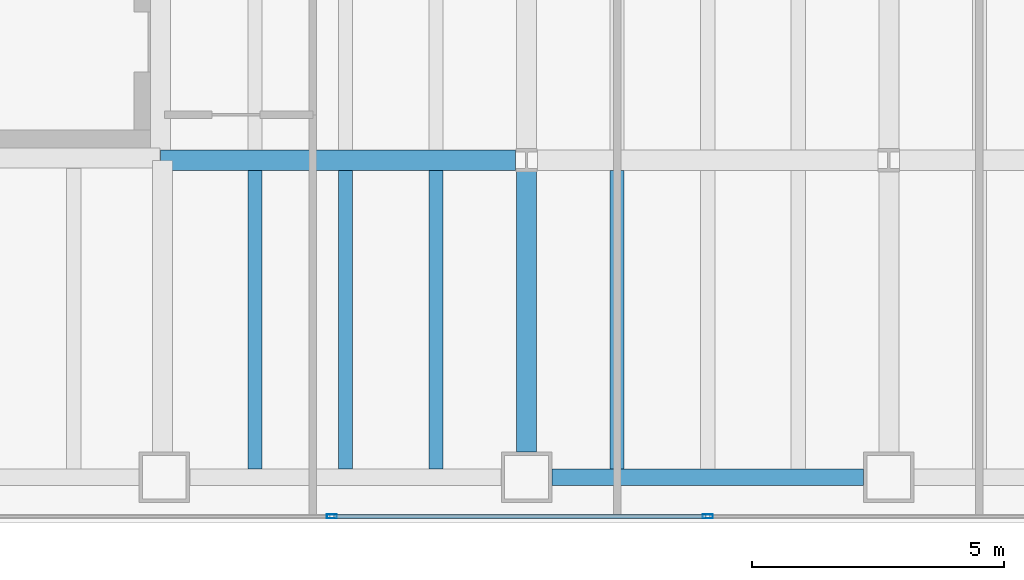
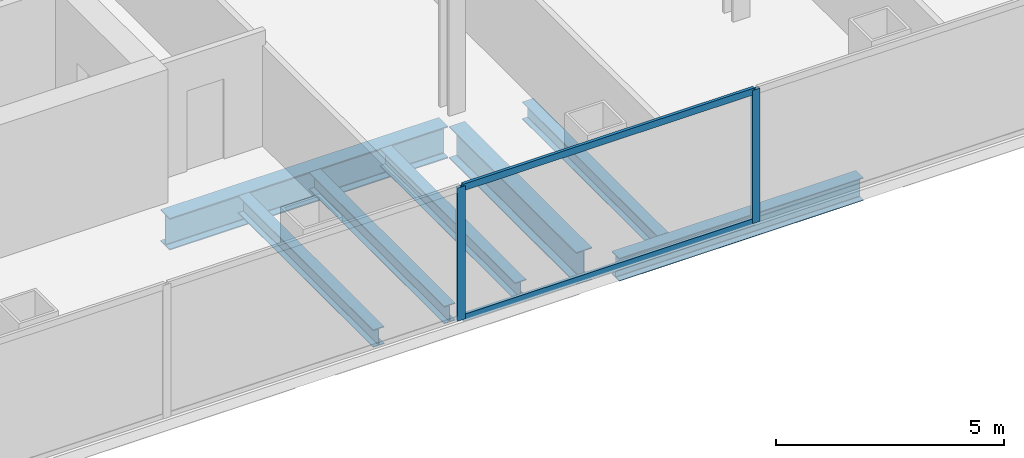
# One storey, part 4 of 25: 7 beams, 4 members, 1 element without a shape of its own.
"""IFC4 building model written with IfcOpenShell, lengths in metres."""

from ifc_helpers import new_model, si_unit, direction, frame, origin, origin_2d, place, context, subcontext, project, spatial, hollow_rectangle, i_section, extrude, material, material_profile, profile_set, type_object, element, aggregate, save


model = new_model("IFC4")

# Units and contexts
model_context = context("Model", 3, precision=1e-05, world=origin(), true_north=direction((0.0, 1.0)))
body_context = subcontext(model_context, "Body", "Model", "MODEL_VIEW")
ifc_project = project(units=[si_unit("LENGTHUNIT", "METRE"), si_unit("AREAUNIT", "SQUARE_METRE"), si_unit("VOLUMEUNIT", "CUBIC_METRE"), si_unit("PLANEANGLEUNIT", "RADIAN"), si_unit("MASSUNIT", "GRAM", prefix="KILO")], contexts=[model_context])

# Site, building, storey
site_placement = place(None, origin())
site = spatial("IfcSite", under=ifc_project, at=site_placement, CompositionType="ELEMENT")
building_placement = place(site_placement, origin())
building = spatial("IfcBuilding", under=site, at=building_placement, Name="Cobrela Telecom Tower", CompositionType="ELEMENT")
storey_placement = place(building_placement, frame((0.0, 0.0, 58.10009765625)))
storey = spatial("IfcBuildingStorey", under=building, at=storey_placement, Name="L14", CompositionType="ELEMENT", Elevation=58.10009765625)

# Beams
ifc_material_1 = material(Name="Steel ASTM A992 Grade 50", Category="steel")
ifc_material_profile_1 = material_profile(ifc_material_1, i_section(OverallWidth=0.39892578125, OverallDepth=0.85595703125, WebThickness=0.018310546875, FlangeThickness=0.029296875, FilletRadius=0.02001953125, at=origin_2d()), Name="W33X201")
ifc_profile_set_1 = profile_set([ifc_material_profile_1], Name="Steel ASTM A992 Grade 50")
beam_type_1 = type_object("IfcBeamType", Name="BM-GIRD-03", PredefinedType="USERDEFINED", material=ifc_profile_set_1)
beam_1_placement = place(storey_placement, frame((14.324951171875, 7.199951171875, -0.7080078125), z_axis=(1.0, 0.0, 0.0), x_axis=(0.0, 1.0, 0.0)))
element("IfcBeam", 1, at=beam_1_placement, inside=storey, type_object=beam_type_1, Name="L14 Primary Girder X08", ObjectType="GIRDER", PredefinedType="USERDEFINED", context=body_context, shape_type="SweptSolid", body=[
    extrude(i_section(OverallWidth=0.39892578125, OverallDepth=0.85595703125, WebThickness=0.018310546875, FlangeThickness=0.029296875, FilletRadius=0.02001953125, at=origin_2d()), origin(), (0.0, 0.0, 1.0), 7.05908203125),
])
beam_2_placement = place(storey_placement, frame((21.60009765625, 1.405029296875, -0.7080078125), z_axis=(0.0, 1.0, 0.0), x_axis=(-1.0, 0.0, 0.0)))
element("IfcBeam", 2, at=beam_2_placement, inside=storey, type_object=beam_type_1, Name="L14 Primary Girder Y40", ObjectType="GIRDER", PredefinedType="USERDEFINED", context=body_context, shape_type="SweptSolid", body=[
    extrude(i_section(OverallWidth=0.39892578125, OverallDepth=0.85595703125, WebThickness=0.018310546875, FlangeThickness=0.029296875, FilletRadius=0.02001953125, at=origin_2d()), origin(), (0.0, 0.0, 1.0), 5.578857421875),
])
ifc_material_profile_2 = material_profile(ifc_material_1, i_section(OverallWidth=0.281982421875, OverallDepth=0.467041015625, WebThickness=0.01220703125, FlangeThickness=0.01953125, FilletRadius=0.012939453125, at=origin_2d()), Name="W18X86")
ifc_profile_set_2 = profile_set([ifc_material_profile_2], Name="Steel ASTM A992 Grade 50")
beam_type_2 = type_object("IfcBeamType", Name="BM-JOIST-02", PredefinedType="JOIST", material=ifc_profile_set_2)
for number, where, z_axis, x_axis, name in (
    (3, (16.199951171875, 1.0673828125, -0.513671875), (0.0, 1.0, 0.0), (-1.0, 0.0, 0.0), "L14 Secondary Composite Floor Beam J07"),
    (4, (18.0, 1.0673828125, -0.513671875), (0.0, 1.0, 0.0), (-1.0, 0.0, 0.0), "L14 Secondary Composite Floor Beam J13"),
    (5, (19.800048828125, 1.0673828125, -0.513671875), (0.0, 1.0, 0.0), (-1.0, 0.0, 0.0), "L14 Secondary Composite Floor Beam J19"),
    (6, (23.39990234375, 1.0673828125, -0.513671875), (0.0, 1.0, 0.0), (-1.0, 0.0, 0.0), "L14 Secondary Composite Floor Beam J25"),
):
    element("IfcBeam", number, at=place(storey_placement, frame(where, z_axis=z_axis, x_axis=x_axis)), inside=storey, type_object=beam_type_2, Name=name, PredefinedType="JOIST", context=body_context, shape_type="SweptSolid", body=[
        extrude(i_section(OverallWidth=0.281982421875, OverallDepth=0.467041015625, WebThickness=0.01220703125, FlangeThickness=0.01953125, FilletRadius=0.012939453125, at=origin_2d()), origin(), (0.0, 0.0, 1.0), 5.92822265625),
    ])
ifc_material_profile_3 = material_profile(ifc_material_1, i_section(OverallWidth=0.324951171875, OverallDepth=0.612060546875, WebThickness=0.0126953125, FlangeThickness=0.01904296875, FilletRadius=0.014892578125, at=origin_2d()), Name="W24X104")
ifc_profile_set_3 = profile_set([ifc_material_profile_3], Name="Steel ASTM A992 Grade 50")
beam_type_3 = type_object("IfcBeamType", Name="BM-SPAND-02", PredefinedType="SPANDREL", material=ifc_profile_set_3)
beam_3_placement = place(storey_placement, frame((22.10498046875, 0.89990234375, -0.586181640625), z_axis=(1.0, 0.0, 0.0), x_axis=(0.0, 1.0, 0.0)))
element("IfcBeam", 7, at=beam_3_placement, inside=storey, type_object=beam_type_3, Name="L14 Perimeter Spandrel X03", PredefinedType="SPANDREL", context=body_context, shape_type="SweptSolid", body=[
    extrude(i_section(OverallWidth=0.324951171875, OverallDepth=0.612060546875, WebThickness=0.0126953125, FlangeThickness=0.01904296875, FilletRadius=0.014892578125, at=origin_2d()), origin(), (0.0, 0.0, 1.0), 6.18994140625),
])

# Curtain wall, members
ifc_material_2 = material(Name="Anodized Bronze Aluminium 6063-T6", Category="aluminium")
curtain_wall_type = type_object("IfcCurtainWallType", Name="CW-SYS-DATA", PredefinedType="USERDEFINED", material=ifc_material_2)
curtain_wall_placement = place(storey_placement, origin())
curtain_wall = element("IfcCurtainWall", 8, at=curtain_wall_placement, inside=storey, type_object=curtain_wall_type, Name="L14 Unitised Bronze Curtain Wall 17", ObjectType="UNITISED CURTAIN WALL", PredefinedType="USERDEFINED")
ifc_material_profile_4 = material_profile(ifc_material_2, hollow_rectangle(XDim=0.080078125, YDim=0.199951171875, WallThickness=0.00390625, at=origin_2d()), Name="ALU 80x200x4")
ifc_profile_set_4 = profile_set([ifc_material_profile_4], Name="Anodized Bronze Aluminium 6063-T6")
member_type_1 = type_object("IfcMemberType", Name="CW-SYS-DATA-MUL", PredefinedType="MULLION", material=ifc_profile_set_4)
member_1_placement = place(storey_placement, frame((25.199951171875, 0.1201171875, 0.0), z_axis=(0.0, 0.0, 1.0), x_axis=(0.0, -1.0, 0.0)))
member_1 = element("IfcMember", 9, at=member_1_placement, type_object=member_type_1, Name="CW-DATA mullion 4", PredefinedType="MULLION", context=body_context, shape_type="SweptSolid", body=[
    extrude(hollow_rectangle(XDim=0.080078125, YDim=0.199951171875, WallThickness=0.00390625, at=origin_2d()), origin(), (0.0, 0.0, 1.0), 3.56982421875),
])
member_2_placement = place(storey_placement, frame((17.72998046875, 0.1201171875, 0.0), z_axis=(0.0, 0.0, 1.0), x_axis=(0.0, -1.0, 0.0)))
member_2 = element("IfcMember", 10, at=member_2_placement, type_object=member_type_1, Name="CW-DATA mullion 5", PredefinedType="MULLION", context=body_context, shape_type="SweptSolid", body=[
    extrude(hollow_rectangle(XDim=0.080078125, YDim=0.199951171875, WallThickness=0.00390625, at=origin_2d()), origin(), (0.0, 0.0, 1.0), 3.56982421875),
])
ifc_material_profile_5 = material_profile(ifc_material_2, hollow_rectangle(XDim=0.074951171875, YDim=0.179931640625, WallThickness=0.00390625, at=origin_2d()), Name="ALU 75x180x4")
ifc_profile_set_5 = profile_set([ifc_material_profile_5], Name="Anodized Bronze Aluminium 6063-T6")
member_type_2 = type_object("IfcMemberType", Name="CW-SYS-DATA-TRN", PredefinedType="USERDEFINED", material=ifc_profile_set_5)
member_3_placement = place(storey_placement, frame((25.159912109375, 0.1201171875, 0.037353515625), z_axis=(-1.0, 0.0, 0.0), x_axis=(0.0, -1.0, 0.0)))
member_3 = element("IfcMember", 11, at=member_3_placement, type_object=member_type_2, Name="CW-DATA transom 4.1", ObjectType="TRANSOM", PredefinedType="USERDEFINED", context=body_context, shape_type="SweptSolid", body=[
    extrude(hollow_rectangle(XDim=0.074951171875, YDim=0.179931640625, WallThickness=0.00390625, at=origin_2d()), origin(), (0.0, 0.0, 1.0), 7.389892578125),
])
member_4_placement = place(storey_placement, frame((25.159912109375, 0.1201171875, 3.532470703125), z_axis=(-1.0, 0.0, 0.0), x_axis=(0.0, -1.0, 0.0)))
member_4 = element("IfcMember", 12, at=member_4_placement, type_object=member_type_2, Name="CW-DATA transom 4.2", ObjectType="TRANSOM", PredefinedType="USERDEFINED", context=body_context, shape_type="SweptSolid", body=[
    extrude(hollow_rectangle(XDim=0.074951171875, YDim=0.179931640625, WallThickness=0.00390625, at=origin_2d()), origin(), (0.0, 0.0, 1.0), 7.389892578125),
])
aggregate(curtain_wall, [member_1, member_2, member_3, member_4])

save(model, "model.ifc")
